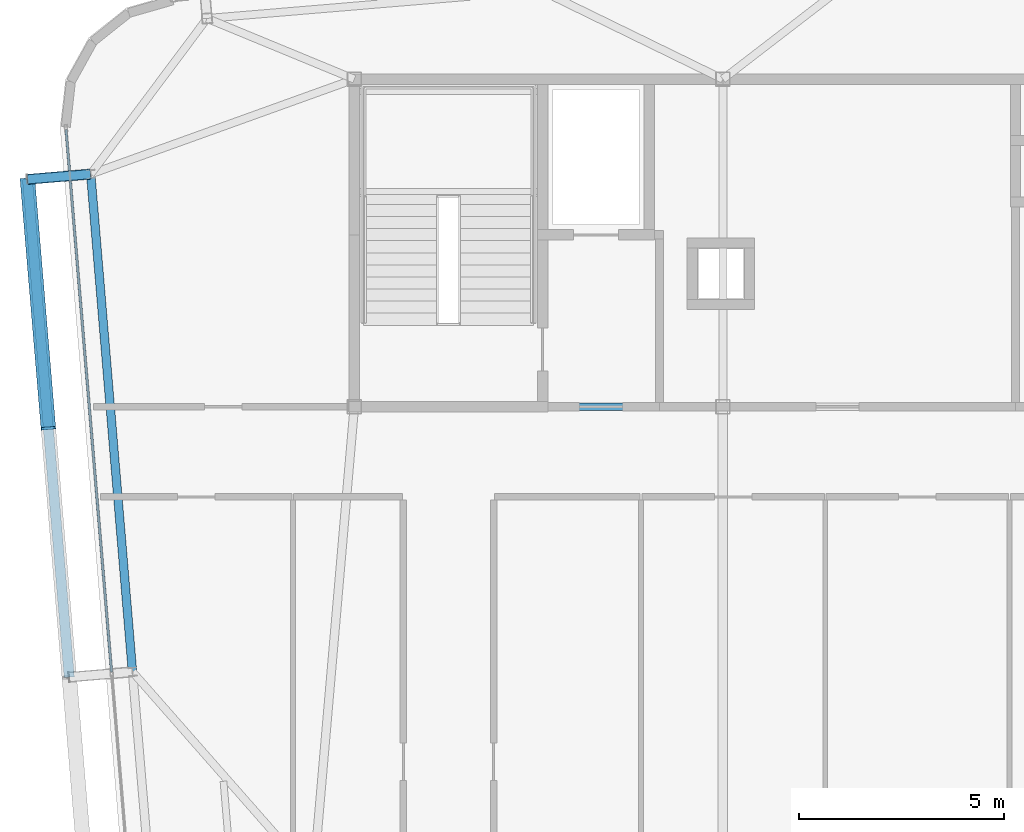
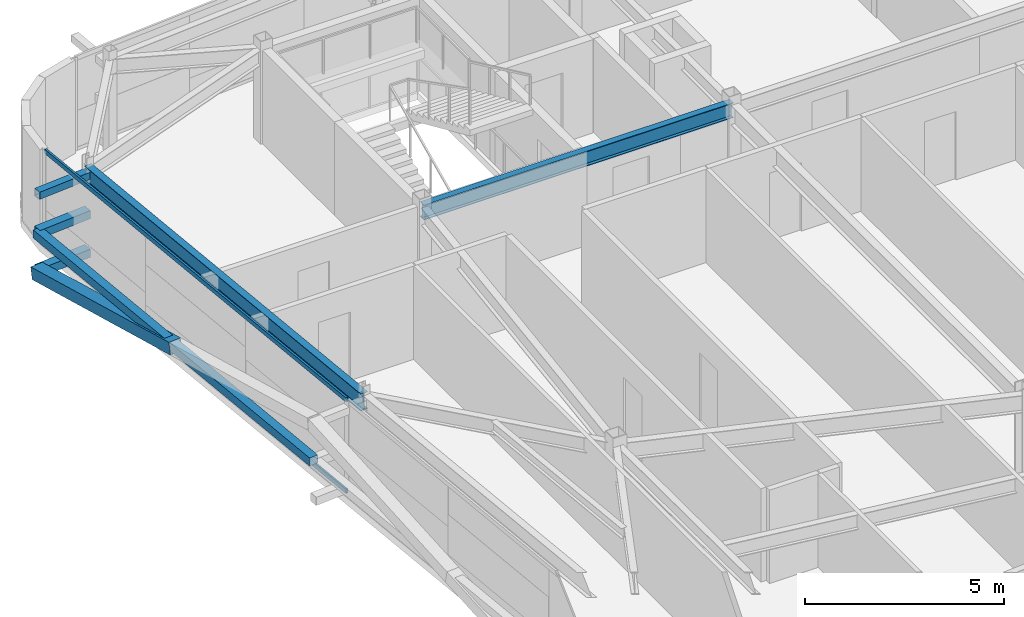
# One storey, part 13 of 39: 7 members, 2 beams, 1 element without a shape of its own.
"""IFC4 building model written with IfcOpenShell, lengths in metres."""

from ifc_helpers import new_model, si_unit, direction, frame, origin, origin_2d, place, context, subcontext, project, spatial, hollow_rectangle, i_section, extrude, source, transform, mapped, material, layer, layer_set, material_profile, profile_set, type_object, element, aggregate, save


model = new_model("IFC4")

# Units and contexts
model_context = context("Model", 3, precision=1e-05, world=origin(), true_north=direction((0.0, 1.0)))
body_context = subcontext(model_context, "Body", "Model", "MODEL_VIEW")
ifc_project = project(units=[si_unit("LENGTHUNIT", "METRE"), si_unit("AREAUNIT", "SQUARE_METRE"), si_unit("VOLUMEUNIT", "CUBIC_METRE"), si_unit("PLANEANGLEUNIT", "RADIAN"), si_unit("MASSUNIT", "GRAM", prefix="KILO")], contexts=[model_context])

# Site, building, storey
site_placement = place(None, origin())
site = spatial("IfcSite", under=ifc_project, at=site_placement, CompositionType="ELEMENT")
building_placement = place(site_placement, origin())
building = spatial("IfcBuilding", under=site, at=building_placement, Name="Taldren Reach Tower", CompositionType="ELEMENT")
storey_placement = place(building_placement, frame((0.0, 0.0, 204.050048828125)))
storey = spatial("IfcBuildingStorey", under=building, at=storey_placement, Name="L62", CompositionType="ELEMENT", Elevation=204.050048828125)

# Beams
ifc_material_1 = material(Name="Steel Gr 350 (350PLUS)", Category="steel")
ifc_material_profile_1 = material_profile(ifc_material_1, i_section(OverallWidth=0.19091796875, OverallDepth=0.4599609375, WebThickness=0.010009765625, FlangeThickness=0.01611328125, at=origin_2d()), Name="460UB82.1")
ifc_profile_set_1 = profile_set([ifc_material_profile_1], Name="Steel Gr 350 (350PLUS)")
beam_type_1 = type_object("IfcBeamType", Name="BM-UB460A", PredefinedType="BEAM", material=ifc_profile_set_1)
shared_shape_1 = source(origin(), body_context, "Body", "SweptSolid", [
    extrude(i_section(OverallWidth=0.19091796875, OverallDepth=0.4599609375, WebThickness=0.010009765625, FlangeThickness=0.01611328125, at=origin_2d()), origin(), (0.0, 0.0, 1.0), 9.0),
])
beam_1_placement = place(storey_placement, frame((19.0, 24.0, 2.639892578125), z_axis=(1.0, 0.0, 0.0), x_axis=(0.0, 1.0, 0.0)))
element("IfcBeam", 1, at=beam_1_placement, inside=storey, type_object=beam_type_1, Name="Core-spine girder L62-SP01", PredefinedType="BEAM", context=body_context, shape_type="MappedRepresentation", body=[
    mapped(shared_shape_1, transform((0.0, 0.0, 0.0), scale=1.0)),
])
ifc_material_profile_2 = material_profile(ifc_material_1, i_section(OverallWidth=0.208984375, OverallDepth=0.528076171875, WebThickness=0.009521484375, FlangeThickness=0.01318359375, at=origin_2d()), Name="530UB82.0")
ifc_profile_set_2 = profile_set([ifc_material_profile_2], Name="Steel Gr 350 (350PLUS)")
beam_type_2 = type_object("IfcBeamType", Name="SP-UB530B", PredefinedType="SPANDREL", material=ifc_profile_set_2)
shared_shape_2 = source(origin(), body_context, "Body", "SweptSolid", [
    extrude(i_section(OverallWidth=0.208984375, OverallDepth=0.528076171875, WebThickness=0.009521484375, FlangeThickness=0.01318359375, at=origin_2d()), origin(), (0.0, 0.0, 1.0), 12.199951171875),
])
beam_2_placement = place(storey_placement, frame((12.56201171875, 29.682373046875, 2.60595703125), z_axis=(0.083668166953, -0.99649367175, 0.0), x_axis=(0.99649367175, 0.083668166953, 0.0)))
element("IfcBeam", 2, at=beam_2_placement, inside=storey, type_object=beam_type_2, Name="Perimeter spandrel B4 W3-W2 L62", PredefinedType="SPANDREL", context=body_context, shape_type="MappedRepresentation", body=[
    mapped(shared_shape_2, transform((0.0, 0.0, 0.0), scale=1.0)),
])

# Members
ifc_material_2 = material(Name="Steel Gr 450 (C450L0)", Category="steel")
ifc_material_profile_3 = material_profile(ifc_material_2, hollow_rectangle(XDim=0.219970703125, YDim=0.219970703125, WallThickness=0.00830078125, at=origin_2d()), Name="220x220x8.2SHS")
ifc_profile_set_3 = profile_set([ifc_material_profile_3], Name="Steel Gr 450 (C450L0)")
member_type_1 = type_object("IfcMemberType", Name="MB-TIE219", PredefinedType="STRUT", material=ifc_profile_set_3)
shared_shape_3 = source(origin(), body_context, "Body", "SweptSolid", [
    extrude(hollow_rectangle(XDim=0.219970703125, YDim=0.219970703125, WallThickness=0.00830078125, at=origin_2d()), origin(), (0.0, 0.0, 1.0), 1.54541015625),
])
member_1_placement = place(storey_placement, frame((12.557373046875, 29.68212890625, 2.58984375), z_axis=(-0.99648887425, -0.083725285883, 0.0), x_axis=(0.083725285883, -0.99648887425, 0.0)))
element("IfcMember", 3, at=member_1_placement, inside=storey, type_object=member_type_1, Name="Exoskeleton diaphragm tie strut B4-W3 L62", PredefinedType="STRUT", context=body_context, shape_type="MappedRepresentation", body=[
    mapped(shared_shape_3, transform((0.0, 0.0, 0.0), scale=1.0)),
])
ifc_material_3 = material(Name="Steel Gr 350 (C350L0)", Category="steel")
ifc_material_profile_4 = material_profile(ifc_material_3, hollow_rectangle(XDim=0.25, YDim=0.25, WallThickness=0.010009765625, at=origin_2d()), Name="250x250x10.0SHS")
ifc_profile_set_4 = profile_set([ifc_material_profile_4], Name="Steel Gr 350 (C350L0)")
member_type_2 = type_object("IfcMemberType", Name="MB-POST250", PredefinedType="POST", material=ifc_profile_set_4)
shared_shape_4 = source(origin(), body_context, "Body", "SweptSolid", [
    extrude(hollow_rectangle(XDim=0.25, YDim=0.25, WallThickness=0.010009765625, at=origin_2d()), origin(), (0.0, 0.0, 1.0), 12.199951171875),
])
member_2_placement = place(storey_placement, frame((12.0380859375, 17.3955078125, 1.405029296875), z_axis=(-0.083668166953, 0.99649367175, 0.0), x_axis=(-0.99649367175, -0.083668166953, 0.0)))
element("IfcMember", 4, at=member_2_placement, inside=storey, type_object=member_type_2, Name="Exoskeleton mid-height ring chord B4-W2 L62", PredefinedType="POST", context=body_context, shape_type="MappedRepresentation", body=[
    mapped(shared_shape_4, transform((0.0, 0.0, 0.0), scale=1.0)),
])
shared_shape_5 = source(origin(), body_context, "Body", "SweptSolid", [
    extrude(hollow_rectangle(XDim=0.25, YDim=0.25, WallThickness=0.010009765625, at=origin_2d()), origin(), (0.0, 0.0, 1.0), 1.54541015625),
])
for number, where, z_axis, x_axis, name in (
    (5, (12.557373046875, 29.68212890625, 0.219970703125), (-0.99648887425, -0.083725285883, 0.0), (0.083725285883, -0.99648887425, 0.0), "Exoskeleton base diaphragm tie strut B4-W3 L62"),
    (6, (12.557373046875, 29.68212890625, 1.405029296875), (-0.99648887425, -0.083725285883, 0.0), (0.083725285883, -0.99648887425, 0.0), "Exoskeleton mid-tier diaphragm tie B4-W3 L62"),
):
    element("IfcMember", number, at=place(storey_placement, frame(where, z_axis=z_axis, x_axis=x_axis)), inside=storey, type_object=member_type_2, Name=name, PredefinedType="POST", context=body_context, shape_type="MappedRepresentation", body=[
        mapped(shared_shape_5, transform((0.0, 0.0, 0.0), scale=1.0)),
    ])
ifc_material_profile_5 = material_profile(ifc_material_2, hollow_rectangle(XDim=0.360107421875, YDim=0.360107421875, WallThickness=0.0126953125, at=origin_2d()), Name="360x360x12.7SHS")
ifc_profile_set_5 = profile_set([ifc_material_profile_5], Name="Steel Gr 450 (C450L0)")
member_type_3 = type_object("IfcMemberType", Name="MB-EXO356", PredefinedType="BRACE", material=ifc_profile_set_5)
shared_shape_6 = source(origin(), body_context, "Body", "SweptSolid", [
    extrude(hollow_rectangle(XDim=0.360107421875, YDim=0.360107421875, WallThickness=0.0126953125, at=origin_2d()), origin(), (0.0, 0.0, 1.0), 6.214111328125),
])
member_3_placement = place(storey_placement, frame((11.017333984375, 29.552734375, 0.219970703125), z_axis=(0.082152126962, -0.978203566279, 0.190706085257), x_axis=(0.996492003099, 0.083688038336, 0.0)))
element("IfcMember", 7, at=member_3_placement, inside=storey, type_object=member_type_3, Name="Exoskeleton Diagrid Brace B4-W2 L62", PredefinedType="BRACE", context=body_context, shape_type="MappedRepresentation", body=[
    mapped(shared_shape_6, transform((0.0, 0.0, 0.0), scale=1.0)),
])

# Curtain wall, members
ifc_material_4 = material(Name="Aluminium and Low-E Glass Unitised System", Category="aluminium")
ifc_layer = layer(ifc_material_4, 0.159912109375)
ifc_layer_set = layer_set([ifc_layer], Name="Aluminium and Low-E Glass Unitised System")
curtain_wall_type = type_object("IfcCurtainWallType", Name="CW-SYS-5", PredefinedType="NOTDEFINED", material=ifc_layer_set)
curtain_wall_placement = place(storey_placement, origin())
curtain_wall = element("IfcCurtainWall", 8, at=curtain_wall_placement, inside=storey, type_object=curtain_wall_type, Name="Unitised curtain wall CW-L62-W", PredefinedType="NOTDEFINED")
ifc_material_5 = material(Name="Anodised Aluminium 6063-T6", Category="aluminium")
ifc_material_profile_6 = material_profile(ifc_material_5, hollow_rectangle(XDim=0.06005859375, YDim=0.135009765625, WallThickness=0.00341796875, at=origin_2d()), Name="ALU-135x60x3.5RHS")
ifc_profile_set_6 = profile_set([ifc_material_profile_6], Name="Anodised Aluminium 6063-T6")
member_type_4 = type_object("IfcMemberType", Name="CW-TRN-150", PredefinedType="USERDEFINED", material=ifc_profile_set_6)
shared_shape_7 = source(origin(), body_context, "Body", "SweptSolid", [
    extrude(hollow_rectangle(XDim=0.06005859375, YDim=0.135009765625, WallThickness=0.00341796875, at=origin_2d()), origin(), (0.0, 0.0, 1.0), 13.295166015625),
])
member_4_placement = place(storey_placement, frame((11.959228515625, 30.765869140625, 0.030029296875), z_axis=(0.083662465438, -0.996494150448, 0.0), x_axis=(0.996494150448, 0.083662465438, 0.0)))
member_4 = element("IfcMember", 9, at=member_4_placement, type_object=member_type_4, Name="CW-5 transom 1.1", ObjectType="TRANSOM", PredefinedType="USERDEFINED", context=body_context, shape_type="MappedRepresentation", body=[
    mapped(shared_shape_7, transform((0.0, 0.0, 0.0), scale=1.0)),
])
member_5_placement = place(storey_placement, frame((11.959228515625, 30.765869140625, 2.83984375), z_axis=(0.083662465438, -0.996494150448, 0.0), x_axis=(0.996494150448, 0.083662465438, 0.0)))
member_5 = element("IfcMember", 10, at=member_5_placement, type_object=member_type_4, Name="CW-5 transom 1.2", ObjectType="TRANSOM", PredefinedType="USERDEFINED", context=body_context, shape_type="MappedRepresentation", body=[
    mapped(shared_shape_7, transform((0.0, 0.0, 0.0), scale=1.0)),
])
aggregate(curtain_wall, [member_4, member_5])

save(model, "model.ifc")
